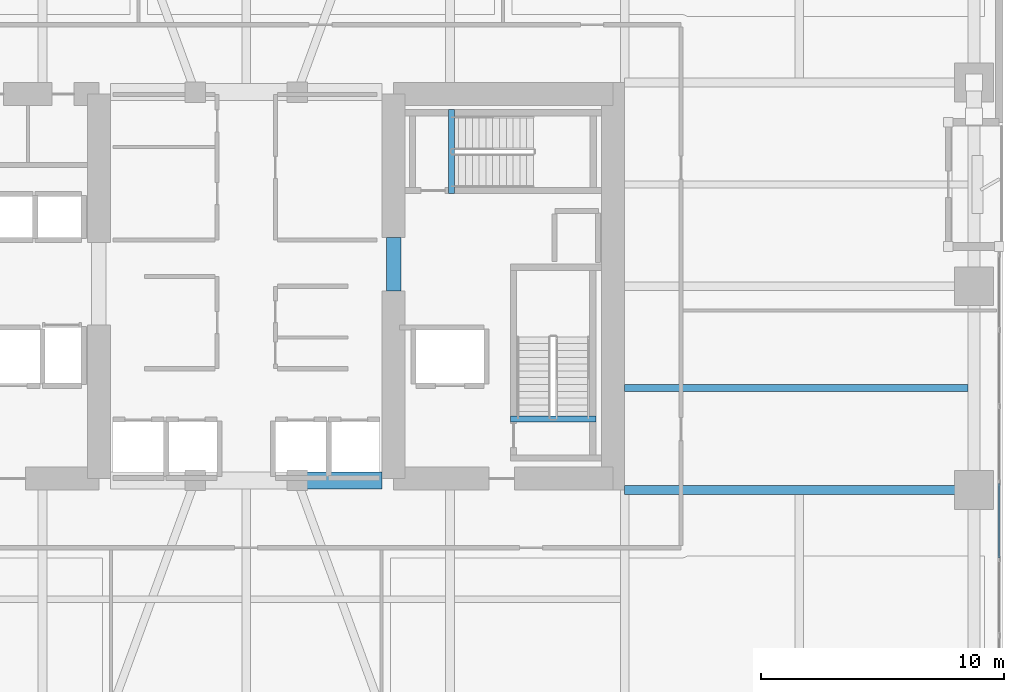
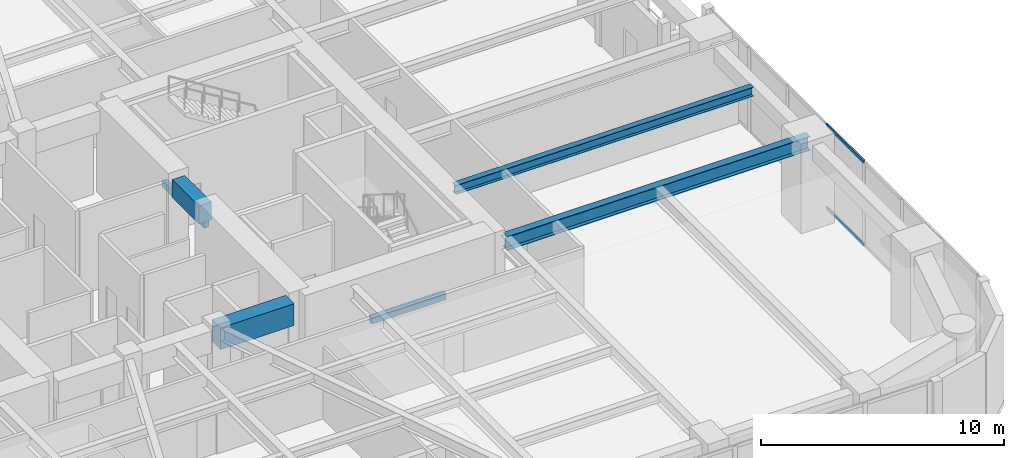
# One storey, part 8 of 25: 6 beams, 2 members, 1 element without a shape of its own.
"""IFC4 building model written with IfcOpenShell, lengths in metres."""

from ifc_helpers import new_model, si_unit, direction, frame, origin, origin_2d, place, context, subcontext, project, spatial, rectangle, hollow_rectangle, i_section, extrude, material, layer, layer_set, material_profile, profile_set, type_object, element, aggregate, save


model = new_model("IFC4")

# Units and contexts
model_context = context("Model", 3, precision=1e-05, world=origin(), true_north=direction((0.0, 1.0)))
body_context = subcontext(model_context, "Body", "Model", "MODEL_VIEW")
ifc_project = project(units=[si_unit("LENGTHUNIT", "METRE"), si_unit("AREAUNIT", "SQUARE_METRE"), si_unit("VOLUMEUNIT", "CUBIC_METRE"), si_unit("PLANEANGLEUNIT", "RADIAN"), si_unit("MASSUNIT", "GRAM", prefix="KILO")], contexts=[model_context])

# Site, building, storey
site_placement = place(None, origin())
site = spatial("IfcSite", under=ifc_project, at=site_placement, CompositionType="ELEMENT")
building_placement = place(site_placement, origin())
building = spatial("IfcBuilding", under=site, at=building_placement, Name="Kiyonajd Concourse Tower", CompositionType="ELEMENT")
storey_placement = place(building_placement, frame((0.0, 0.0, 68.39990234375)))
storey = spatial("IfcBuildingStorey", under=building, at=storey_placement, Name="L18", CompositionType="ELEMENT", Elevation=68.39990234375)

# Beams
ifc_material_1 = material(Name="Concrete C70/85", Category="concrete")
ifc_material_profile_1 = material_profile(ifc_material_1, rectangle(XDim=0.699951171875, YDim=1.10009765625, at=origin_2d()), Name="RCBM-700x1100")
ifc_profile_set_1 = profile_set([ifc_material_profile_1], Name="Concrete C70/85")
beam_type_1 = type_object("IfcBeamType", Name="BM-COUP-1100", PredefinedType="LINTEL", material=ifc_profile_set_1)
beam_1_placement = place(storey_placement, frame((50.10009765625, 28.0, 3.690185546875), z_axis=(1.0, 0.0, 0.0), x_axis=(0.0, 1.0, 0.0)))
element("IfcBeam", 1, at=beam_1_placement, inside=storey, type_object=beam_type_1, Name="L18 Core Coupling Beam S3", PredefinedType="LINTEL", context=body_context, shape_type="SweptSolid", body=[
    extrude(rectangle(XDim=0.699951171875, YDim=1.10009765625, at=origin_2d()), origin(), (0.0, 0.0, 1.0), 3.5),
])
ifc_material_2 = material(Name="Concrete C60/75", Category="concrete")
ifc_material_profile_2 = material_profile(ifc_material_2, rectangle(XDim=0.60009765625, YDim=0.89990234375, at=origin_2d()), Name="RCBM-600x900")
ifc_profile_set_2 = profile_set([ifc_material_profile_2], Name="Concrete C60/75")
beam_type_2 = type_object("IfcBeamType", Name="BM-COUP-900", PredefinedType="LINTEL", material=ifc_profile_set_2)
beam_2_placement = place(storey_placement, frame((54.074951171875, 35.800048828125, 3.690185546875), z_axis=(0.0, 1.0, 0.0), x_axis=(-1.0, 0.0, 0.0)))
element("IfcBeam", 2, at=beam_2_placement, inside=storey, type_object=beam_type_2, Name="L18 East Core Throat Coupling Lintel", PredefinedType="LINTEL", context=body_context, shape_type="SweptSolid", body=[
    extrude(rectangle(XDim=0.60009765625, YDim=0.89990234375, at=origin_2d()), origin(), (0.0, 0.0, 1.0), 2.199951171875),
])
ifc_material_3 = material(Name="Steel ASTM A992 Grade 50", Category="steel")
ifc_material_profile_3 = material_profile(ifc_material_3, i_section(OverallWidth=0.280029296875, OverallDepth=0.462890625, WebThickness=0.0107421875, FlangeThickness=0.017333984375, at=origin_2d()), Name="W460X113")
ifc_profile_set_3 = profile_set([ifc_material_profile_3], Name="Steel ASTM A992 Grade 50")
beam_type_3 = type_object("IfcBeamType", Name="BM-JST-460A", PredefinedType="JOIST", material=ifc_profile_set_3)
beam_3_placement = place(storey_placement, frame((63.60009765625, 31.800048828125, 4.008544921875), z_axis=(1.0, 0.0, 0.0), x_axis=(0.0, 1.0, 0.0)))
element("IfcBeam", 3, at=beam_3_placement, inside=storey, type_object=beam_type_3, Name="L18 East Secondary Floor Joist", PredefinedType="JOIST", context=body_context, shape_type="SweptSolid", body=[
    extrude(i_section(OverallWidth=0.280029296875, OverallDepth=0.462890625, WebThickness=0.0107421875, FlangeThickness=0.017333984375, at=origin_2d()), origin(), (0.0, 0.0, 1.0), 14.14990234375),
])
ifc_material_4 = material(Name="Concrete C50/60", Category="concrete")
ifc_material_profile_4 = material_profile(ifc_material_4, rectangle(XDim=0.239990234375, YDim=0.320068359375, at=origin_2d()), Name="RCBM-240x320")
ifc_profile_set_4 = profile_set([ifc_material_profile_4], Name="Concrete C50/60")
beam_type_4 = type_object("IfcBeamType", Name="BM-LNT-250", PredefinedType="LINTEL", material=ifc_profile_set_4)
beam_4_placement = place(storey_placement, frame((58.889892578125, 30.530029296875, -0.159912109375), z_axis=(1.0, 0.0, 0.0), x_axis=(0.0, 1.0, 0.0)))
element("IfcBeam", 4, at=beam_4_placement, inside=storey, type_object=beam_type_4, Name="L18 Stair ST2 Threshold Support Beam", PredefinedType="LINTEL", context=body_context, shape_type="SweptSolid", body=[
    extrude(rectangle(XDim=0.239990234375, YDim=0.320068359375, at=origin_2d()), origin(), (0.0, 0.0, 1.0), 3.52001953125),
])
beam_5_placement = place(storey_placement, frame((56.4599609375, 39.820068359375, -0.159912109375), z_axis=(0.0, 1.0, 0.0), x_axis=(-1.0, 0.0, 0.0)))
element("IfcBeam", 5, at=beam_5_placement, inside=storey, type_object=beam_type_4, Name="L18 Stair ST3 Threshold Support Beam", PredefinedType="LINTEL", context=body_context, shape_type="SweptSolid", body=[
    extrude(rectangle(XDim=0.239990234375, YDim=0.320068359375, at=origin_2d()), origin(), (0.0, 0.0, 1.0), 3.4599609375),
])
ifc_material_profile_5 = material_profile(ifc_material_3, i_section(OverallWidth=0.35498046875, OverallDepth=0.695068359375, WebThickness=0.015380859375, FlangeThickness=0.02490234375, at=origin_2d()), Name="W690X217")
ifc_profile_set_5 = profile_set([ifc_material_profile_5], Name="Steel ASTM A992 Grade 50")
beam_type_5 = type_object("IfcBeamType", Name="BM-TWR-690", PredefinedType="BEAM", material=ifc_profile_set_5)
beam_6_placement = place(storey_placement, frame((63.60009765625, 27.60009765625, 3.892578125), z_axis=(1.0, 0.0, 0.0), x_axis=(0.0, 1.0, 0.0)))
element("IfcBeam", 6, at=beam_6_placement, inside=storey, type_object=beam_type_5, Name="L18 East Lease Girder", PredefinedType="BEAM", context=body_context, shape_type="SweptSolid", body=[
    extrude(i_section(OverallWidth=0.35498046875, OverallDepth=0.695068359375, WebThickness=0.015380859375, FlangeThickness=0.02490234375, at=origin_2d()), origin(), (0.0, 0.0, 1.0), 14.39990234375),
])

# Curtain wall, members
ifc_material_5 = material(Name="Thermally Broken Anodised Aluminium", Category="aluminium")
ifc_layer = layer(ifc_material_5, 0.179931640625)
ifc_layer_set = layer_set([ifc_layer], Name="Thermally Broken Anodised Aluminium")
curtain_wall_type = type_object("IfcCurtainWallType", Name="CW-SYS-05", PredefinedType="NOTDEFINED", material=ifc_layer_set)
curtain_wall_placement = place(storey_placement, origin())
curtain_wall = element("IfcCurtainWall", 7, at=curtain_wall_placement, inside=storey, type_object=curtain_wall_type, Name="L18 Unitised Curtain Wall CW5", PredefinedType="NOTDEFINED")
ifc_material_profile_6 = material_profile(ifc_material_5, hollow_rectangle(XDim=0.074951171875, YDim=0.159912109375, WallThickness=0.0048828125, at=origin_2d()), Name="TRAN-75x160")
ifc_profile_set_6 = profile_set([ifc_material_profile_6], Name="Thermally Broken Anodised Aluminium")
member_type = type_object("IfcMemberType", Name="MB-CW-TRAN2", PredefinedType="USERDEFINED", material=ifc_profile_set_6)
member_1_placement = place(storey_placement, frame((79.0400390625, 27.8671875, 0.03759765625), z_axis=(0.0, -1.0, 0.0), x_axis=(1.0, 0.0, 0.0)))
member_1 = element("IfcMember", 8, at=member_1_placement, type_object=member_type, Name="CW5 transom 4.1", ObjectType="TRANSOM", PredefinedType="USERDEFINED", context=body_context, shape_type="SweptSolid", body=[
    extrude(hollow_rectangle(XDim=0.074951171875, YDim=0.159912109375, WallThickness=0.0048828125, at=origin_2d()), origin(), (0.0, 0.0, 1.0), 3.0732421875),
])
member_2_placement = place(storey_placement, frame((79.0400390625, 27.8671875, 4.20263671875), z_axis=(0.0, -1.0, 0.0), x_axis=(1.0, 0.0, 0.0)))
member_2 = element("IfcMember", 9, at=member_2_placement, type_object=member_type, Name="CW5 transom 4.2", ObjectType="TRANSOM", PredefinedType="USERDEFINED", context=body_context, shape_type="SweptSolid", body=[
    extrude(hollow_rectangle(XDim=0.074951171875, YDim=0.159912109375, WallThickness=0.0048828125, at=origin_2d()), origin(), (0.0, 0.0, 1.0), 3.0732421875),
])
aggregate(curtain_wall, [member_1, member_2])

save(model, "model.ifc")
